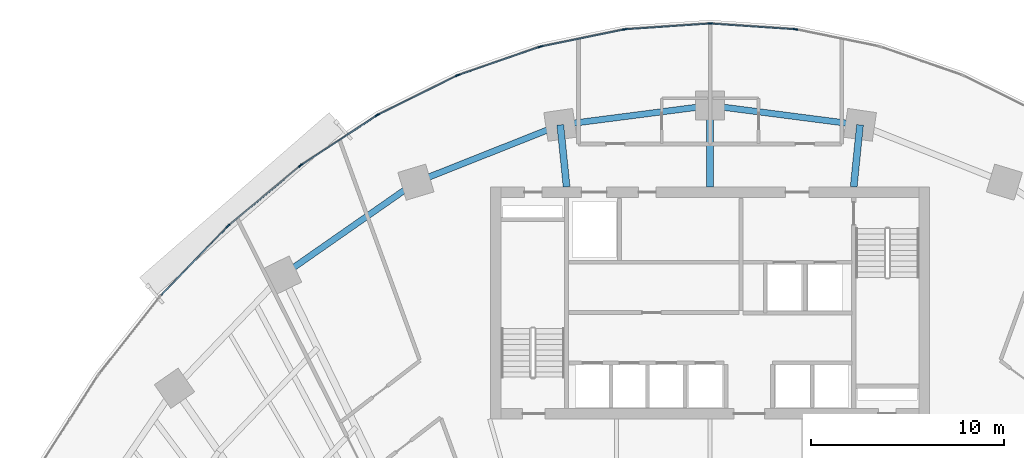
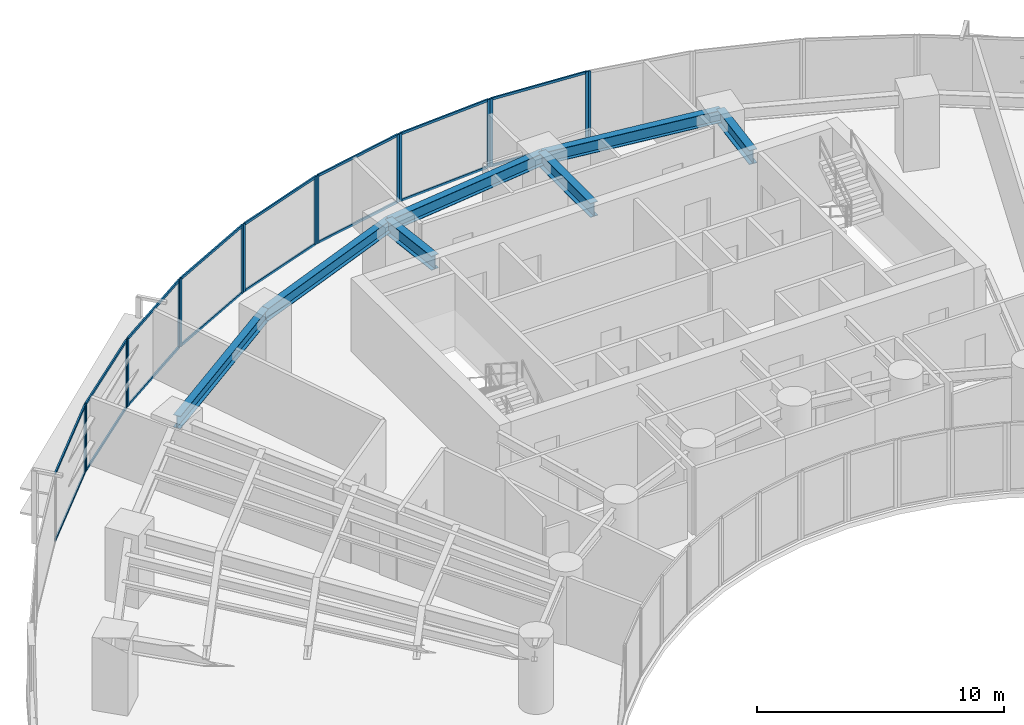
# One storey, part 6 of 17: 32 members, 7 beams, 9 elements without a shape of their own.
"""IFC4 building model written with IfcOpenShell, lengths in metres."""

from ifc_helpers import new_model, si_unit, direction, frame, origin, origin_2d, place, context, subcontext, project, spatial, rectangle, i_section, extrude, source, transform, mapped, material, layer, layer_set, material_profile, profile_set, type_object, type_shapes, element, aggregate, save


model = new_model("IFC4")

# Units and contexts
model_context = context("Model", 3, precision=1e-05, world=origin(), true_north=direction((0.0, 1.0)))
body_context = subcontext(model_context, "Body", "Model", "MODEL_VIEW")
ifc_project = project(units=[si_unit("LENGTHUNIT", "METRE"), si_unit("AREAUNIT", "SQUARE_METRE"), si_unit("VOLUMEUNIT", "CUBIC_METRE"), si_unit("PLANEANGLEUNIT", "RADIAN"), si_unit("MASSUNIT", "GRAM", prefix="KILO")], contexts=[model_context])

# Site, building, storey
site_placement = place(None, origin())
site = spatial("IfcSite", under=ifc_project, at=site_placement, CompositionType="ELEMENT")
building_placement = place(site_placement, origin())
building = spatial("IfcBuilding", under=site, at=building_placement, Name="Breltana Convention Tower", CompositionType="ELEMENT")
storey_placement = place(building_placement, frame((0.0, 0.0, 64.199951171875)))
storey = spatial("IfcBuildingStorey", under=building, at=storey_placement, Name="L14", CompositionType="ELEMENT", Elevation=64.199951171875)

# Beams
ifc_material_1 = material(Name="Steel ASTM A992 Grade 50", Category="steel")
ifc_material_profile_1 = material_profile(ifc_material_1, i_section(OverallWidth=0.323974609375, OverallDepth=0.611083984375, WebThickness=0.0126953125, FlangeThickness=0.01904296875, at=origin_2d()), Name="W24X104")
ifc_profile_set_1 = profile_set([ifc_material_profile_1], Name="Steel ASTM A992 Grade 50")
beam_type_1 = type_object("IfcBeamType", Name="BM-SP-W24X104", PredefinedType="SPANDREL", material=ifc_profile_set_1)
shared_shape_1 = source(origin(), body_context, "Body", "SweptSolid", [
    extrude(i_section(OverallWidth=0.323974609375, OverallDepth=0.611083984375, WebThickness=0.0126953125, FlangeThickness=0.01904296875, at=origin_2d()), origin(), (0.0, 0.0, 1.0), 8.4169921875),
])
beam_1_placement = place(storey_placement, frame((25.8876953125, 67.626953125, 3.054443359375), z_axis=(0.820173800102, 0.572114444519, 0.0), x_axis=(-0.572114444519, 0.820173800102, 0.0)))
element("IfcBeam", 1, at=beam_1_placement, inside=storey, type_object=beam_type_1, Name="L14 Outer Spandrel Beam 03", PredefinedType="SPANDREL", context=body_context, shape_type="MappedRepresentation", body=[
    mapped(shared_shape_1, transform((0.0, 0.0, 0.0), scale=1.0)),
])
shared_shape_2 = source(origin(), body_context, "Body", "SweptSolid", [
    extrude(i_section(OverallWidth=0.323974609375, OverallDepth=0.611083984375, WebThickness=0.0126953125, FlangeThickness=0.01904296875, at=origin_2d()), origin(), (0.0, 0.0, 1.0), 8.028564453125),
])
beam_2_placement = place(storey_placement, frame((32.791015625, 72.4423828125, 3.054443359375), z_axis=(0.929459100394, 0.368925169507, 0.0), x_axis=(-0.368925169507, 0.929459100394, 0.0)))
element("IfcBeam", 2, at=beam_2_placement, inside=storey, type_object=beam_type_1, Name="L14 Outer Spandrel Beam 04", PredefinedType="SPANDREL", context=body_context, shape_type="MappedRepresentation", body=[
    mapped(shared_shape_2, transform((0.0, 0.0, 0.0), scale=1.0)),
])
shared_shape_3 = source(origin(), body_context, "Body", "SweptSolid", [
    extrude(i_section(OverallWidth=0.323974609375, OverallDepth=0.611083984375, WebThickness=0.0126953125, FlangeThickness=0.01904296875, at=origin_2d()), origin(), (0.0, 0.0, 1.0), 7.81103515625),
])
for number, where, z_axis, x_axis, name in (
    (3, (40.253173828125, 75.404296875, 3.054443359375), (0.991775179127, 0.127992164083, 0.0), (-0.127992164083, 0.991775179127, 0.0), "L14 Outer Spandrel Beam 05"),
    (4, (48.0, 76.404052734375, 3.054443359375), (0.991775179127, -0.127992164083, 0.0), (0.127992164083, 0.991775179127, 0.0), "L14 Outer Spandrel Beam 06"),
):
    element("IfcBeam", number, at=place(storey_placement, frame(where, z_axis=z_axis, x_axis=x_axis)), inside=storey, type_object=beam_type_1, Name=name, PredefinedType="SPANDREL", context=body_context, shape_type="MappedRepresentation", body=[
        mapped(shared_shape_3, transform((0.0, 0.0, 0.0), scale=1.0)),
    ])
ifc_material_profile_2 = material_profile(ifc_material_1, i_section(OverallWidth=0.35498046875, OverallDepth=0.696044921875, WebThickness=0.015380859375, FlangeThickness=0.02490234375, at=origin_2d()), Name="W27X146")
ifc_profile_set_2 = profile_set([ifc_material_profile_2], Name="Steel ASTM A992 Grade 50")
beam_type_2 = type_object("IfcBeamType", Name="BM-RG-W27X146", PredefinedType="USERDEFINED", material=ifc_profile_set_2)
shared_shape_4 = source(origin(), body_context, "Body", "SweptSolid", [
    extrude(i_section(OverallWidth=0.35498046875, OverallDepth=0.696044921875, WebThickness=0.015380859375, FlangeThickness=0.02490234375, at=origin_2d()), origin(), (0.0, 0.0, 1.0), 3.220947265625),
])
for number, where, z_axis, x_axis, name in (
    (5, (40.580078125, 72.199951171875, 3.011962890625), (-0.101492254858, 0.994836329355, 0.0), (-0.994836329355, -0.101492254858, 0.0), "L14 North Core Radial Girder R05"),
    (6, (55.419921875, 72.199951171875, 3.011962890625), (0.101492254858, 0.994836329355, 0.0), (-0.994836329355, 0.101492254858, 0.0), "L14 North Core Radial Girder R07"),
):
    element("IfcBeam", number, at=place(storey_placement, frame(where, z_axis=z_axis, x_axis=x_axis)), inside=storey, type_object=beam_type_2, Name=name, ObjectType="GIRDER", PredefinedType="USERDEFINED", context=body_context, shape_type="MappedRepresentation", body=[
        mapped(shared_shape_4, transform((0.0, 0.0, 0.0), scale=1.0)),
    ])
shared_shape_5 = source(origin(), body_context, "Body", "SweptSolid", [
    extrude(i_section(OverallWidth=0.35498046875, OverallDepth=0.696044921875, WebThickness=0.015380859375, FlangeThickness=0.02490234375, at=origin_2d()), origin(), (0.0, 0.0, 1.0), 4.2041015625),
])
beam_3_placement = place(storey_placement, frame((48.0, 72.199951171875, 3.011962890625), z_axis=(0.0, 1.0, 0.0), x_axis=(-1.0, 0.0, 0.0)))
element("IfcBeam", 7, at=beam_3_placement, inside=storey, type_object=beam_type_2, Name="L14 North Core Radial Girder R06", ObjectType="GIRDER", PredefinedType="USERDEFINED", context=body_context, shape_type="MappedRepresentation", body=[
    mapped(shared_shape_5, transform((0.0, 0.0, 0.0), scale=1.0)),
])

# Curtain wall, member
ifc_material_2 = material(Name="Aluminium Anodised Bronze Frame", Category="aluminium")
ifc_layer = layer(ifc_material_2, 0.199951171875, Name="Aluminium Anodised Bronze Frame")
ifc_layer_set = layer_set([ifc_layer], Name="Aluminium Anodised Bronze Frame")
curtain_wall_type = type_object("IfcCurtainWallType", Name="CW-SYS-2", PredefinedType="NOTDEFINED", material=ifc_layer_set)
curtain_wall_1_placement = place(storey_placement, origin())
curtain_wall_1 = element("IfcCurtainWall", 8, at=curtain_wall_1_placement, inside=storey, type_object=curtain_wall_type, Name="L14 outer double-skin inner glazing 3", PredefinedType="NOTDEFINED")
ifc_material_3 = material(Name="Aluminium Anodised Bronze", Category="aluminium")
ifc_material_profile_3 = material_profile(ifc_material_3, rectangle(XDim=0.070068359375, YDim=0.175048828125, at=origin_2d()), Name="CWM-70X175")
ifc_profile_set_3 = profile_set([ifc_material_profile_3], Name="Aluminium Anodised Bronze")
member_type_1 = type_object("IfcMemberType", Name="CWM-175", PredefinedType="MULLION", material=ifc_profile_set_3)
shared_shape_6 = source(origin(), body_context, "Body", "SweptSolid", [
    extrude(rectangle(XDim=0.070068359375, YDim=0.175048828125, at=origin_2d()), origin(), (0.0, 0.0, 1.0), 3.360107421875),
])
type_shapes(member_type_1, [shared_shape_6])
member_1_placement = place(storey_placement, frame((23.044189453125, 70.147705078125, 0.0), z_axis=(0.0, 0.0, 1.0), x_axis=(-0.719386421003, 0.694610090106, 0.0)))
member_1 = element("IfcMember", 9, at=member_1_placement, type_object=member_type_1, Name="CW-02 mullion 2", PredefinedType="MULLION", context=body_context, shape_type="MappedRepresentation", body=[
    mapped(shared_shape_6, transform((0.0, 0.0, 0.0), scale=1.0)),
])

# Curtain wall, members
curtain_wall_2_placement = place(storey_placement, origin())
curtain_wall_2 = element("IfcCurtainWall", 10, at=curtain_wall_2_placement, inside=storey, type_object=curtain_wall_type, Name="L14 outer double-skin inner glazing 4", PredefinedType="NOTDEFINED")
member_2_placement = place(storey_placement, frame((23.09521484375, 70.1953125, 0.0), z_axis=(0.0, 0.0, 1.0), x_axis=(-0.640520193554, 0.767941326958, 0.0)))
member_2 = element("IfcMember", 11, at=member_2_placement, type_object=member_type_1, Name="CW-02 mullion 1", PredefinedType="MULLION", context=body_context, shape_type="MappedRepresentation", body=[
    mapped(shared_shape_6, transform((0.0, 0.0, 0.0), scale=1.0)),
])
member_3_placement = place(storey_placement, frame((26.79736328125, 73.283203125, 0.0), z_axis=(0.0, 0.0, 1.0), x_axis=(-0.640520193554, 0.767941326958, 0.0)))
member_3 = element("IfcMember", 12, at=member_3_placement, type_object=member_type_1, Name="CW-02 mullion 2", PredefinedType="MULLION", context=body_context, shape_type="MappedRepresentation", body=[
    mapped(shared_shape_6, transform((0.0, 0.0, 0.0), scale=1.0)),
])

curtain_wall_3_placement = place(storey_placement, origin())
curtain_wall_3 = element("IfcCurtainWall", 13, at=curtain_wall_3_placement, inside=storey, type_object=curtain_wall_type, Name="L14 outer double-skin inner glazing 5", PredefinedType="NOTDEFINED")
member_4_placement = place(storey_placement, frame((26.853515625, 73.32470703125, 0.0), z_axis=(0.0, 0.0, 1.0), x_axis=(-0.548784255746, 0.83596401875, 0.0)))
member_4 = element("IfcMember", 14, at=member_4_placement, type_object=member_type_1, Name="CW-02 mullion 1", PredefinedType="MULLION", context=body_context, shape_type="MappedRepresentation", body=[
    mapped(shared_shape_6, transform((0.0, 0.0, 0.0), scale=1.0)),
])
member_5_placement = place(storey_placement, frame((30.766357421875, 75.8935546875, 0.0), z_axis=(0.0, 0.0, 1.0), x_axis=(-0.548784255746, 0.83596401875, 0.0)))
member_5 = element("IfcMember", 15, at=member_5_placement, type_object=member_type_1, Name="CW-02 mullion 2", PredefinedType="MULLION", context=body_context, shape_type="MappedRepresentation", body=[
    mapped(shared_shape_6, transform((0.0, 0.0, 0.0), scale=1.0)),
])

curtain_wall_4_placement = place(storey_placement, origin())
curtain_wall_4 = element("IfcCurtainWall", 16, at=curtain_wall_4_placement, inside=storey, type_object=curtain_wall_type, Name="L14 outer double-skin inner glazing 6", PredefinedType="NOTDEFINED")
member_6_placement = place(storey_placement, frame((30.8271484375, 75.92822265625, 0.0), z_axis=(0.0, 0.0, 1.0), x_axis=(-0.444107703726, 0.895973407804, 0.0)))
member_6 = element("IfcMember", 17, at=member_6_placement, type_object=member_type_1, Name="CW-02 mullion 1", PredefinedType="MULLION", context=body_context, shape_type="MappedRepresentation", body=[
    mapped(shared_shape_6, transform((0.0, 0.0, 0.0), scale=1.0)),
])
member_7_placement = place(storey_placement, frame((34.910400390625, 77.9521484375, 0.0), z_axis=(0.0, 0.0, 1.0), x_axis=(-0.444107703726, 0.895973407804, 0.0)))
member_7 = element("IfcMember", 18, at=member_7_placement, type_object=member_type_1, Name="CW-02 mullion 2", PredefinedType="MULLION", context=body_context, shape_type="MappedRepresentation", body=[
    mapped(shared_shape_6, transform((0.0, 0.0, 0.0), scale=1.0)),
])

curtain_wall_5_placement = place(storey_placement, origin())
curtain_wall_5 = element("IfcCurtainWall", 19, at=curtain_wall_5_placement, inside=storey, type_object=curtain_wall_type, Name="L14 outer double-skin inner glazing 7", PredefinedType="NOTDEFINED")
member_8_placement = place(storey_placement, frame((34.974853515625, 77.979248046875, 0.0), z_axis=(0.0, 0.0, 1.0), x_axis=(-0.32742834581, 0.944876012163, 0.0)))
member_8 = element("IfcMember", 20, at=member_8_placement, type_object=member_type_1, Name="CW-02 mullion 1", PredefinedType="MULLION", context=body_context, shape_type="MappedRepresentation", body=[
    mapped(shared_shape_6, transform((0.0, 0.0, 0.0), scale=1.0)),
])
member_9_placement = place(storey_placement, frame((39.1875, 79.43896484375, 0.0), z_axis=(0.0, 0.0, 1.0), x_axis=(-0.32742834581, 0.944876012163, 0.0)))
member_9 = element("IfcMember", 21, at=member_9_placement, type_object=member_type_1, Name="CW-02 mullion 2", PredefinedType="MULLION", context=body_context, shape_type="MappedRepresentation", body=[
    mapped(shared_shape_6, transform((0.0, 0.0, 0.0), scale=1.0)),
])

curtain_wall_6_placement = place(storey_placement, origin())
curtain_wall_6 = element("IfcCurtainWall", 22, at=curtain_wall_6_placement, inside=storey, type_object=curtain_wall_type, Name="L14 outer double-skin inner glazing 8", PredefinedType="NOTDEFINED")
member_10_placement = place(storey_placement, frame((39.2548828125, 79.45751953125, 0.0), z_axis=(0.0, 0.0, 1.0), x_axis=(-0.200884537139, 0.979614925743, 0.0)))
member_10 = element("IfcMember", 23, at=member_10_placement, type_object=member_type_1, Name="CW-02 mullion 1", PredefinedType="MULLION", context=body_context, shape_type="MappedRepresentation", body=[
    mapped(shared_shape_6, transform((0.0, 0.0, 0.0), scale=1.0)),
])
member_11_placement = place(storey_placement, frame((43.5537109375, 80.339111328125, 0.0), z_axis=(0.0, 0.0, 1.0), x_axis=(-0.200884537139, 0.979614925743, 0.0)))
member_11 = element("IfcMember", 24, at=member_11_placement, type_object=member_type_1, Name="CW-02 mullion 2", PredefinedType="MULLION", context=body_context, shape_type="MappedRepresentation", body=[
    mapped(shared_shape_6, transform((0.0, 0.0, 0.0), scale=1.0)),
])

curtain_wall_7_placement = place(storey_placement, origin())
curtain_wall_7 = element("IfcCurtainWall", 25, at=curtain_wall_7_placement, inside=storey, type_object=curtain_wall_type, Name="L14 outer double-skin inner glazing 9", PredefinedType="NOTDEFINED")
member_12_placement = place(storey_placement, frame((43.622802734375, 80.348388671875, 0.0), z_axis=(0.0, 0.0, 1.0), x_axis=(-0.067725650529, 0.997703982282, 0.0)))
member_12 = element("IfcMember", 26, at=member_12_placement, type_object=member_type_1, Name="CW-02 mullion 1", PredefinedType="MULLION", context=body_context, shape_type="MappedRepresentation", body=[
    mapped(shared_shape_6, transform((0.0, 0.0, 0.0), scale=1.0)),
])
member_13_placement = place(storey_placement, frame((47.965087890625, 80.643310546875, 0.0), z_axis=(0.0, 0.0, 1.0), x_axis=(-0.067725650529, 0.997703982282, 0.0)))
member_13 = element("IfcMember", 27, at=member_13_placement, type_object=member_type_1, Name="CW-02 mullion 2", PredefinedType="MULLION", context=body_context, shape_type="MappedRepresentation", body=[
    mapped(shared_shape_6, transform((0.0, 0.0, 0.0), scale=1.0)),
])

curtain_wall_8_placement = place(storey_placement, origin())
curtain_wall_8 = element("IfcCurtainWall", 28, at=curtain_wall_8_placement, inside=storey, type_object=curtain_wall_type, Name="L14 outer double-skin inner glazing 10", PredefinedType="NOTDEFINED")
member_14_placement = place(storey_placement, frame((48.034912109375, 80.643310546875, 0.0), z_axis=(0.0, 0.0, 1.0), x_axis=(0.067725650529, 0.997703982282, 0.0)))
member_14 = element("IfcMember", 29, at=member_14_placement, type_object=member_type_1, Name="CW-02 mullion 1", PredefinedType="MULLION", context=body_context, shape_type="MappedRepresentation", body=[
    mapped(shared_shape_6, transform((0.0, 0.0, 0.0), scale=1.0)),
])
member_15_placement = place(storey_placement, frame((52.377197265625, 80.348388671875, 0.0), z_axis=(0.0, 0.0, 1.0), x_axis=(0.067725650529, 0.997703982282, 0.0)))
member_15 = element("IfcMember", 30, at=member_15_placement, type_object=member_type_1, Name="CW-02 mullion 2", PredefinedType="MULLION", context=body_context, shape_type="MappedRepresentation", body=[
    mapped(shared_shape_6, transform((0.0, 0.0, 0.0), scale=1.0)),
])

# Curtain wall, member
curtain_wall_9_placement = place(storey_placement, origin())
curtain_wall_9 = element("IfcCurtainWall", 31, at=curtain_wall_9_placement, inside=storey, type_object=curtain_wall_type, Name="L14 outer double-skin inner glazing 11", PredefinedType="NOTDEFINED")
member_16_placement = place(storey_placement, frame((52.4462890625, 80.339111328125, 0.0), z_axis=(0.0, 0.0, 1.0), x_axis=(0.200884537139, 0.979614925743, 0.0)))
member_16 = element("IfcMember", 32, at=member_16_placement, type_object=member_type_1, Name="CW-02 mullion 1", PredefinedType="MULLION", context=body_context, shape_type="MappedRepresentation", body=[
    mapped(shared_shape_6, transform((0.0, 0.0, 0.0), scale=1.0)),
])
aggregate(curtain_wall_9, [member_16])

# Member
ifc_material_profile_4 = material_profile(ifc_material_3, rectangle(XDim=0.070068359375, YDim=0.1201171875, at=origin_2d()), Name="CWT-70X120")
ifc_profile_set_4 = profile_set([ifc_material_profile_4], Name="Aluminium Anodised Bronze")
member_type_2 = type_object("IfcMemberType", Name="CWT-120", PredefinedType="USERDEFINED", material=ifc_profile_set_4)
shared_shape_7 = source(origin(), body_context, "Body", "SweptSolid", [
    extrude(rectangle(XDim=0.070068359375, YDim=0.1201171875, at=origin_2d()), origin(), (0.0, 0.0, 1.0), 4.901123046875),
])
member_17_placement = place(storey_placement, frame((19.615478515625, 66.5966796875, 0.03515625), z_axis=(0.6945945137, 0.719401460617, 0.0), x_axis=(-0.719401460617, 0.6945945137, 0.0)))
member_17 = element("IfcMember", 33, at=member_17_placement, type_object=member_type_2, Name="CW-02 transom 1.1", ObjectType="TRANSOM", PredefinedType="USERDEFINED", context=body_context, shape_type="MappedRepresentation", body=[
    mapped(shared_shape_7, transform((0.0, 0.0, 0.0), scale=1.0)),
])

member_18_placement = place(storey_placement, frame((19.615478515625, 66.5966796875, 3.324951171875), z_axis=(0.6945945137, 0.719401460617, 0.0), x_axis=(-0.719401460617, 0.6945945137, 0.0)))
member_18 = element("IfcMember", 34, at=member_18_placement, type_object=member_type_2, Name="CW-02 transom 1.2", ObjectType="TRANSOM", PredefinedType="USERDEFINED", context=body_context, shape_type="MappedRepresentation", body=[
    mapped(shared_shape_7, transform((0.0, 0.0, 0.0), scale=1.0)),
])

aggregate(curtain_wall_1, [member_1, member_17, member_18])

shared_shape_8 = source(origin(), body_context, "Body", "SweptSolid", [
    extrude(rectangle(XDim=0.070068359375, YDim=0.1201171875, at=origin_2d()), origin(), (0.0, 0.0, 1.0), 4.7509765625),
])
member_19_placement = place(storey_placement, frame((23.1220703125, 70.2177734375, 0.03515625), z_axis=(0.767951631807, 0.64050783852, 0.0), x_axis=(-0.64050783852, 0.767951631807, 0.0)))
member_19 = element("IfcMember", 35, at=member_19_placement, type_object=member_type_2, Name="CW-02 transom 1.1", ObjectType="TRANSOM", PredefinedType="USERDEFINED", context=body_context, shape_type="MappedRepresentation", body=[
    mapped(shared_shape_8, transform((0.0, 0.0, 0.0), scale=1.0)),
])

member_20_placement = place(storey_placement, frame((23.1220703125, 70.2177734375, 3.324951171875), z_axis=(0.767951631807, 0.64050783852, 0.0), x_axis=(-0.64050783852, 0.767951631807, 0.0)))
member_20 = element("IfcMember", 36, at=member_20_placement, type_object=member_type_2, Name="CW-02 transom 1.2", ObjectType="TRANSOM", PredefinedType="USERDEFINED", context=body_context, shape_type="MappedRepresentation", body=[
    mapped(shared_shape_8, transform((0.0, 0.0, 0.0), scale=1.0)),
])

aggregate(curtain_wall_2, [member_2, member_3, member_19, member_20])

shared_shape_9 = source(origin(), body_context, "Body", "SweptSolid", [
    extrude(rectangle(XDim=0.070068359375, YDim=0.1201171875, at=origin_2d()), origin(), (0.0, 0.0, 1.0), 4.610595703125),
])
member_21_placement = place(storey_placement, frame((26.8828125, 73.343994140625, 0.03515625), z_axis=(0.835956055104, 0.54879638659, 0.0), x_axis=(-0.54879638659, 0.835956055104, 0.0)))
member_21 = element("IfcMember", 37, at=member_21_placement, type_object=member_type_2, Name="CW-02 transom 1.1", ObjectType="TRANSOM", PredefinedType="USERDEFINED", context=body_context, shape_type="MappedRepresentation", body=[
    mapped(shared_shape_9, transform((0.0, 0.0, 0.0), scale=1.0)),
])

member_22_placement = place(storey_placement, frame((26.8828125, 73.343994140625, 3.324951171875), z_axis=(0.835956055104, 0.54879638659, 0.0), x_axis=(-0.54879638659, 0.835956055104, 0.0)))
member_22 = element("IfcMember", 38, at=member_22_placement, type_object=member_type_2, Name="CW-02 transom 1.2", ObjectType="TRANSOM", PredefinedType="USERDEFINED", context=body_context, shape_type="MappedRepresentation", body=[
    mapped(shared_shape_9, transform((0.0, 0.0, 0.0), scale=1.0)),
])

aggregate(curtain_wall_3, [member_4, member_5, member_21, member_22])

shared_shape_10 = source(origin(), body_context, "Body", "SweptSolid", [
    extrude(rectangle(XDim=0.070068359375, YDim=0.1201171875, at=origin_2d()), origin(), (0.0, 0.0, 1.0), 4.487548828125),
])
member_23_placement = place(storey_placement, frame((30.8583984375, 75.94384765625, 0.03515625), z_axis=(0.895977728863, 0.444098986017, 0.0), x_axis=(-0.444098986017, 0.895977728863, 0.0)))
member_23 = element("IfcMember", 39, at=member_23_placement, type_object=member_type_2, Name="CW-02 transom 1.1", ObjectType="TRANSOM", PredefinedType="USERDEFINED", context=body_context, shape_type="MappedRepresentation", body=[
    mapped(shared_shape_10, transform((0.0, 0.0, 0.0), scale=1.0)),
])

member_24_placement = place(storey_placement, frame((30.8583984375, 75.94384765625, 3.324951171875), z_axis=(0.895977728863, 0.444098986017, 0.0), x_axis=(-0.444098986017, 0.895977728863, 0.0)))
member_24 = element("IfcMember", 40, at=member_24_placement, type_object=member_type_2, Name="CW-02 transom 1.2", ObjectType="TRANSOM", PredefinedType="USERDEFINED", context=body_context, shape_type="MappedRepresentation", body=[
    mapped(shared_shape_10, transform((0.0, 0.0, 0.0), scale=1.0)),
])

aggregate(curtain_wall_4, [member_6, member_7, member_23, member_24])

shared_shape_11 = source(origin(), body_context, "Body", "SweptSolid", [
    extrude(rectangle(XDim=0.070068359375, YDim=0.1201171875, at=origin_2d()), origin(), (0.0, 0.0, 1.0), 4.38818359375),
])
member_25_placement = place(storey_placement, frame((35.008056640625, 77.99072265625, 0.03515625), z_axis=(0.944878203019, 0.32742202348, 0.0), x_axis=(-0.32742202348, 0.944878203019, 0.0)))
member_25 = element("IfcMember", 41, at=member_25_placement, type_object=member_type_2, Name="CW-02 transom 1.1", ObjectType="TRANSOM", PredefinedType="USERDEFINED", context=body_context, shape_type="MappedRepresentation", body=[
    mapped(shared_shape_11, transform((0.0, 0.0, 0.0), scale=1.0)),
])

member_26_placement = place(storey_placement, frame((35.008056640625, 77.99072265625, 3.324951171875), z_axis=(0.944878203019, 0.32742202348, 0.0), x_axis=(-0.32742202348, 0.944878203019, 0.0)))
member_26 = element("IfcMember", 42, at=member_26_placement, type_object=member_type_2, Name="CW-02 transom 1.2", ObjectType="TRANSOM", PredefinedType="USERDEFINED", context=body_context, shape_type="MappedRepresentation", body=[
    mapped(shared_shape_11, transform((0.0, 0.0, 0.0), scale=1.0)),
])

aggregate(curtain_wall_5, [member_8, member_9, member_25, member_26])

shared_shape_12 = source(origin(), body_context, "Body", "SweptSolid", [
    extrude(rectangle(XDim=0.070068359375, YDim=0.1201171875, at=origin_2d()), origin(), (0.0, 0.0, 1.0), 4.318359375),
])
member_27_placement = place(storey_placement, frame((39.2890625, 79.464599609375, 0.03515625), z_axis=(0.979616680923, 0.200875977799, 0.0), x_axis=(-0.200875977799, 0.979616680923, 0.0)))
member_27 = element("IfcMember", 43, at=member_27_placement, type_object=member_type_2, Name="CW-02 transom 1.1", ObjectType="TRANSOM", PredefinedType="USERDEFINED", context=body_context, shape_type="MappedRepresentation", body=[
    mapped(shared_shape_12, transform((0.0, 0.0, 0.0), scale=1.0)),
])

member_28_placement = place(storey_placement, frame((39.2890625, 79.464599609375, 3.324951171875), z_axis=(0.979616680923, 0.200875977799, 0.0), x_axis=(-0.200875977799, 0.979616680923, 0.0)))
member_28 = element("IfcMember", 44, at=member_28_placement, type_object=member_type_2, Name="CW-02 transom 1.2", ObjectType="TRANSOM", PredefinedType="USERDEFINED", context=body_context, shape_type="MappedRepresentation", body=[
    mapped(shared_shape_12, transform((0.0, 0.0, 0.0), scale=1.0)),
])

aggregate(curtain_wall_6, [member_10, member_11, member_27, member_28])

shared_shape_13 = source(origin(), body_context, "Body", "SweptSolid", [
    extrude(rectangle(XDim=0.070068359375, YDim=0.1201171875, at=origin_2d()), origin(), (0.0, 0.0, 1.0), 4.2822265625),
])
member_29_placement = place(storey_placement, frame((43.65771484375, 80.350830078125, 0.03515625), z_axis=(0.997703698684, 0.067729828231, 0.0), x_axis=(-0.067729828231, 0.997703698684, 0.0)))
member_29 = element("IfcMember", 45, at=member_29_placement, type_object=member_type_2, Name="CW-02 transom 1.1", ObjectType="TRANSOM", PredefinedType="USERDEFINED", context=body_context, shape_type="MappedRepresentation", body=[
    mapped(shared_shape_13, transform((0.0, 0.0, 0.0), scale=1.0)),
])

member_30_placement = place(storey_placement, frame((43.65771484375, 80.350830078125, 3.324951171875), z_axis=(0.997703698684, 0.067729828231, 0.0), x_axis=(-0.067729828231, 0.997703698684, 0.0)))
member_30 = element("IfcMember", 46, at=member_30_placement, type_object=member_type_2, Name="CW-02 transom 1.2", ObjectType="TRANSOM", PredefinedType="USERDEFINED", context=body_context, shape_type="MappedRepresentation", body=[
    mapped(shared_shape_13, transform((0.0, 0.0, 0.0), scale=1.0)),
])

aggregate(curtain_wall_7, [member_12, member_13, member_29, member_30])

member_31_placement = place(storey_placement, frame((48.06982421875, 80.640869140625, 0.03515625), z_axis=(0.997703698684, -0.067729828231, 0.0), x_axis=(0.067729828231, 0.997703698684, 0.0)))
member_31 = element("IfcMember", 47, at=member_31_placement, type_object=member_type_2, Name="CW-02 transom 1.1", ObjectType="TRANSOM", PredefinedType="USERDEFINED", context=body_context, shape_type="MappedRepresentation", body=[
    mapped(shared_shape_13, transform((0.0, 0.0, 0.0), scale=1.0)),
])

member_32_placement = place(storey_placement, frame((48.06982421875, 80.640869140625, 3.324951171875), z_axis=(0.997703698684, -0.067729828231, 0.0), x_axis=(0.067729828231, 0.997703698684, 0.0)))
member_32 = element("IfcMember", 48, at=member_32_placement, type_object=member_type_2, Name="CW-02 transom 1.2", ObjectType="TRANSOM", PredefinedType="USERDEFINED", context=body_context, shape_type="MappedRepresentation", body=[
    mapped(shared_shape_13, transform((0.0, 0.0, 0.0), scale=1.0)),
])

aggregate(curtain_wall_8, [member_14, member_15, member_31, member_32])

save(model, "model.ifc")
